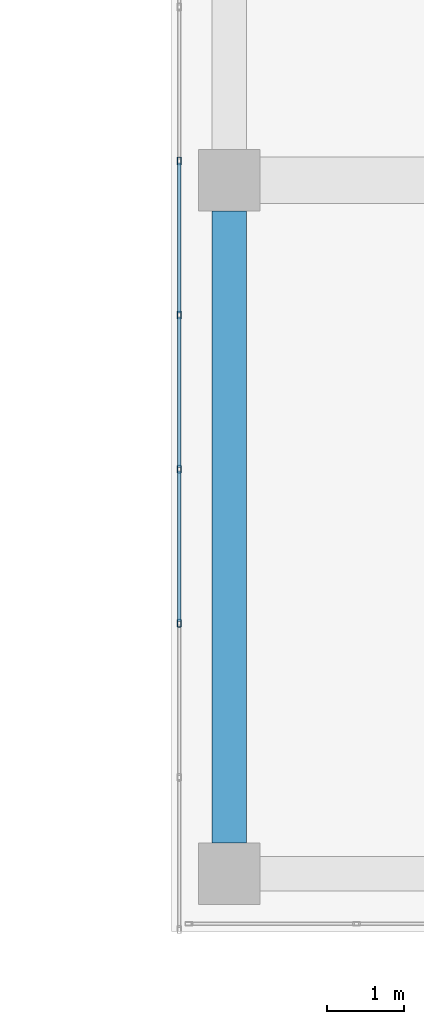
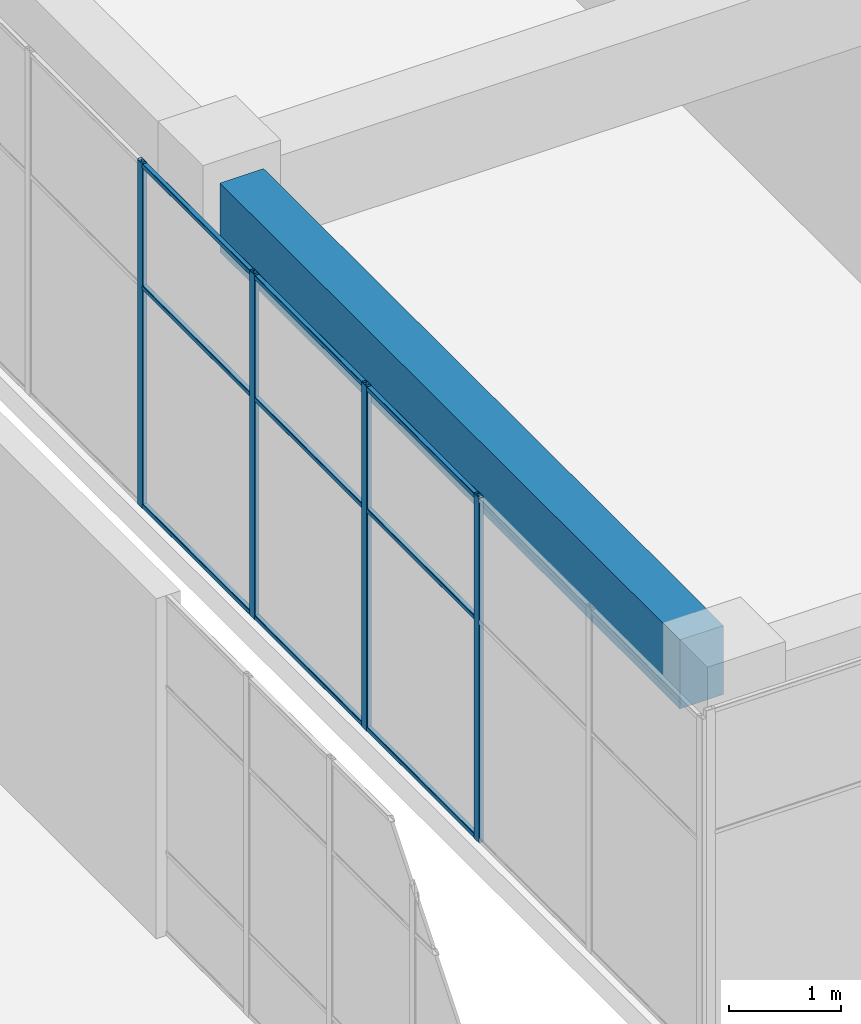
# One storey, part 16 of 65: 13 members, 1 beam, 1 element without a shape of its own.
"""IFC4 building model written with IfcOpenShell, lengths in metres."""

from ifc_helpers import new_model, si_unit, direction, frame, origin, origin_2d, place, context, subcontext, project, spatial, rectangle, hollow_rectangle, extrude, material, layer, layer_set, material_profile, profile_set, type_object, element, aggregate, save


model = new_model("IFC4")

# Units and contexts
model_context = context("Model", 3, precision=1e-05, world=origin(), true_north=direction((0.0, 1.0)))
body_context = subcontext(model_context, "Body", "Model", "MODEL_VIEW")
ifc_project = project(units=[si_unit("LENGTHUNIT", "METRE"), si_unit("AREAUNIT", "SQUARE_METRE"), si_unit("VOLUMEUNIT", "CUBIC_METRE"), si_unit("PLANEANGLEUNIT", "RADIAN"), si_unit("MASSUNIT", "GRAM", prefix="KILO")], contexts=[model_context])

# Site, building, storey
site_placement = place(None, origin())
site = spatial("IfcSite", under=ifc_project, at=site_placement, CompositionType="ELEMENT")
building_placement = place(site_placement, origin())
building = spatial("IfcBuilding", under=site, at=building_placement, Name="Tuart Plaza Theatre", CompositionType="ELEMENT")
storey_placement = place(building_placement, frame((0.0, 0.0, 9.5)))
storey = spatial("IfcBuildingStorey", under=building, at=storey_placement, Name="L02", CompositionType="ELEMENT", Elevation=9.5)

# Beam
ifc_material_1 = material(Name="Concrete N40 (40 MPa)", Category="concrete")
ifc_material_profile_1 = material_profile(ifc_material_1, rectangle(XDim=0.449951171875, YDim=0.75, at=origin_2d()), Name="BEAM 450x750 Concrete N40 (40 MPa)")
ifc_profile_set_1 = profile_set([ifc_material_profile_1], Name="Concrete N40 (40 MPa)")
beam_type = type_object("IfcBeamType", Name="BEAM 450x750 Concrete N40 (40 MPa)", PredefinedType="BEAM", material=ifc_profile_set_1)
beam_placement = place(storey_placement, frame((114.0, 56.39990234375, 3.375), z_axis=(0.0, 1.0, 0.0), x_axis=(-1.0, 0.0, 0.0)))
element("IfcBeam", 1, at=beam_placement, inside=storey, type_object=beam_type, Name="RB162", PredefinedType="BEAM", context=body_context, shape_type="SweptSolid", body=[
    extrude(rectangle(XDim=0.449951171875, YDim=0.75, at=origin_2d()), origin(), (0.0, 0.0, 1.0), 8.2001953125),
])

# Curtain wall, members
ifc_material_2 = material(Name="Aluminium and glass", Category="aluminium")
ifc_layer = layer(ifc_material_2, 0.10009765625)
ifc_layer_set = layer_set([ifc_layer], Name="CURTAIN WALL 2000 module")
curtain_wall_type = type_object("IfcCurtainWallType", Name="CURTAIN WALL 2000 module", PredefinedType="NOTDEFINED", material=ifc_layer_set)
curtain_wall_placement = place(storey_placement, origin())
curtain_wall = element("IfcCurtainWall", 2, at=curtain_wall_placement, inside=storey, type_object=curtain_wall_type, Name="CW73", PredefinedType="NOTDEFINED")
ifc_material_3 = material(Name="Aluminium 6063-T5", Category="aluminium")
ifc_material_profile_2 = material_profile(ifc_material_3, hollow_rectangle(XDim=0.050048828125, YDim=0.10009765625, WallThickness=0.00390625, InnerFilletRadius=0.00390625, OuterFilletRadius=0.008056640625, at=origin_2d()), Name="RHS 100x50x4")
ifc_profile_set_2 = profile_set([ifc_material_profile_2], Name="Aluminium 6063-T5")
member_type_1 = type_object("IfcMemberType", Name="MULLION RHS 100x50x4", PredefinedType="MULLION", material=ifc_profile_set_2)
member_1_placement = place(storey_placement, frame((113.35009765625, 65.25, 0.0), z_axis=(0.0, 0.0, 1.0), x_axis=(1.0, 0.0, 0.0)))
member_1 = element("IfcMember", 3, at=member_1_placement, type_object=member_type_1, Name="CW73 mullion 17", PredefinedType="MULLION", context=body_context, shape_type="SweptSolid", body=[
    extrude(hollow_rectangle(XDim=0.050048828125, YDim=0.10009765625, WallThickness=0.00390625, InnerFilletRadius=0.00390625, OuterFilletRadius=0.008056640625, at=origin_2d()), origin(), (0.0, 0.0, 1.0), 3.75),
])
member_2_placement = place(storey_placement, frame((113.35009765625, 63.25, 0.0), z_axis=(0.0, 0.0, 1.0), x_axis=(1.0, 0.0, 0.0)))
member_2 = element("IfcMember", 4, at=member_2_placement, type_object=member_type_1, Name="CW73 mullion 18", PredefinedType="MULLION", context=body_context, shape_type="SweptSolid", body=[
    extrude(hollow_rectangle(XDim=0.050048828125, YDim=0.10009765625, WallThickness=0.00390625, InnerFilletRadius=0.00390625, OuterFilletRadius=0.008056640625, at=origin_2d()), origin(), (0.0, 0.0, 1.0), 3.75),
])
member_3_placement = place(storey_placement, frame((113.35009765625, 61.25, 0.0), z_axis=(0.0, 0.0, 1.0), x_axis=(1.0, 0.0, 0.0)))
member_3 = element("IfcMember", 5, at=member_3_placement, type_object=member_type_1, Name="CW73 mullion 19", PredefinedType="MULLION", context=body_context, shape_type="SweptSolid", body=[
    extrude(hollow_rectangle(XDim=0.050048828125, YDim=0.10009765625, WallThickness=0.00390625, InnerFilletRadius=0.00390625, OuterFilletRadius=0.008056640625, at=origin_2d()), origin(), (0.0, 0.0, 1.0), 3.75),
])
member_4_placement = place(storey_placement, frame((113.35009765625, 59.25, 0.0), z_axis=(0.0, 0.0, 1.0), x_axis=(1.0, 0.0, 0.0)))
member_4 = element("IfcMember", 6, at=member_4_placement, type_object=member_type_1, Name="CW73 mullion 20", PredefinedType="MULLION", context=body_context, shape_type="SweptSolid", body=[
    extrude(hollow_rectangle(XDim=0.050048828125, YDim=0.10009765625, WallThickness=0.00390625, InnerFilletRadius=0.00390625, OuterFilletRadius=0.008056640625, at=origin_2d()), origin(), (0.0, 0.0, 1.0), 3.75),
])
ifc_material_4 = material(Name="Aluminium 6063-T5", Category="aluminium")
ifc_material_profile_3 = material_profile(ifc_material_4, hollow_rectangle(XDim=0.050048828125, YDim=0.050048828125, WallThickness=0.00390625, InnerFilletRadius=0.00390625, OuterFilletRadius=0.008056640625, at=origin_2d()), Name="RHS 50x50x4")
ifc_profile_set_3 = profile_set([ifc_material_profile_3], Name="Aluminium 6063-T5")
member_type_2 = type_object("IfcMemberType", Name="TRANSOM RHS 50x50x4", PredefinedType="USERDEFINED", material=ifc_profile_set_3)
member_5_placement = place(storey_placement, frame((113.35009765625, 65.22509765625, 0.02490234375), z_axis=(0.0, -1.0, 0.0), x_axis=(1.0, 0.0, 0.0)))
member_5 = element("IfcMember", 7, at=member_5_placement, type_object=member_type_2, Name="CW73 transom 17.1", ObjectType="TRANSOM", PredefinedType="USERDEFINED", context=body_context, shape_type="SweptSolid", body=[
    extrude(hollow_rectangle(XDim=0.050048828125, YDim=0.050048828125, WallThickness=0.00390625, InnerFilletRadius=0.00390625, OuterFilletRadius=0.008056640625, at=origin_2d()), origin(), (0.0, 0.0, 1.0), 1.9501953125),
])
member_6_placement = place(storey_placement, frame((113.35009765625, 65.22509765625, 2.39990234375), z_axis=(0.0, -1.0, 0.0), x_axis=(1.0, 0.0, 0.0)))
member_6 = element("IfcMember", 8, at=member_6_placement, type_object=member_type_2, Name="CW73 transom 17.2", ObjectType="TRANSOM", PredefinedType="USERDEFINED", context=body_context, shape_type="SweptSolid", body=[
    extrude(hollow_rectangle(XDim=0.050048828125, YDim=0.050048828125, WallThickness=0.00390625, InnerFilletRadius=0.00390625, OuterFilletRadius=0.008056640625, at=origin_2d()), origin(), (0.0, 0.0, 1.0), 1.9501953125),
])
member_7_placement = place(storey_placement, frame((113.35009765625, 65.22509765625, 3.72509765625), z_axis=(0.0, -1.0, 0.0), x_axis=(1.0, 0.0, 0.0)))
member_7 = element("IfcMember", 9, at=member_7_placement, type_object=member_type_2, Name="CW73 transom 17.3", ObjectType="TRANSOM", PredefinedType="USERDEFINED", context=body_context, shape_type="SweptSolid", body=[
    extrude(hollow_rectangle(XDim=0.050048828125, YDim=0.050048828125, WallThickness=0.00390625, InnerFilletRadius=0.00390625, OuterFilletRadius=0.008056640625, at=origin_2d()), origin(), (0.0, 0.0, 1.0), 1.9501953125),
])
member_8_placement = place(storey_placement, frame((113.35009765625, 63.22509765625, 0.02490234375), z_axis=(0.0, -1.0, 0.0), x_axis=(1.0, 0.0, 0.0)))
member_8 = element("IfcMember", 10, at=member_8_placement, type_object=member_type_2, Name="CW73 transom 18.1", ObjectType="TRANSOM", PredefinedType="USERDEFINED", context=body_context, shape_type="SweptSolid", body=[
    extrude(hollow_rectangle(XDim=0.050048828125, YDim=0.050048828125, WallThickness=0.00390625, InnerFilletRadius=0.00390625, OuterFilletRadius=0.008056640625, at=origin_2d()), origin(), (0.0, 0.0, 1.0), 1.9501953125),
])
member_9_placement = place(storey_placement, frame((113.35009765625, 63.22509765625, 2.39990234375), z_axis=(0.0, -1.0, 0.0), x_axis=(1.0, 0.0, 0.0)))
member_9 = element("IfcMember", 11, at=member_9_placement, type_object=member_type_2, Name="CW73 transom 18.2", ObjectType="TRANSOM", PredefinedType="USERDEFINED", context=body_context, shape_type="SweptSolid", body=[
    extrude(hollow_rectangle(XDim=0.050048828125, YDim=0.050048828125, WallThickness=0.00390625, InnerFilletRadius=0.00390625, OuterFilletRadius=0.008056640625, at=origin_2d()), origin(), (0.0, 0.0, 1.0), 1.9501953125),
])
member_10_placement = place(storey_placement, frame((113.35009765625, 63.22509765625, 3.72509765625), z_axis=(0.0, -1.0, 0.0), x_axis=(1.0, 0.0, 0.0)))
member_10 = element("IfcMember", 12, at=member_10_placement, type_object=member_type_2, Name="CW73 transom 18.3", ObjectType="TRANSOM", PredefinedType="USERDEFINED", context=body_context, shape_type="SweptSolid", body=[
    extrude(hollow_rectangle(XDim=0.050048828125, YDim=0.050048828125, WallThickness=0.00390625, InnerFilletRadius=0.00390625, OuterFilletRadius=0.008056640625, at=origin_2d()), origin(), (0.0, 0.0, 1.0), 1.9501953125),
])
member_11_placement = place(storey_placement, frame((113.35009765625, 61.22509765625, 0.02490234375), z_axis=(0.0, -1.0, 0.0), x_axis=(1.0, 0.0, 0.0)))
member_11 = element("IfcMember", 13, at=member_11_placement, type_object=member_type_2, Name="CW73 transom 19.1", ObjectType="TRANSOM", PredefinedType="USERDEFINED", context=body_context, shape_type="SweptSolid", body=[
    extrude(hollow_rectangle(XDim=0.050048828125, YDim=0.050048828125, WallThickness=0.00390625, InnerFilletRadius=0.00390625, OuterFilletRadius=0.008056640625, at=origin_2d()), origin(), (0.0, 0.0, 1.0), 1.9501953125),
])
member_12_placement = place(storey_placement, frame((113.35009765625, 61.22509765625, 2.39990234375), z_axis=(0.0, -1.0, 0.0), x_axis=(1.0, 0.0, 0.0)))
member_12 = element("IfcMember", 14, at=member_12_placement, type_object=member_type_2, Name="CW73 transom 19.2", ObjectType="TRANSOM", PredefinedType="USERDEFINED", context=body_context, shape_type="SweptSolid", body=[
    extrude(hollow_rectangle(XDim=0.050048828125, YDim=0.050048828125, WallThickness=0.00390625, InnerFilletRadius=0.00390625, OuterFilletRadius=0.008056640625, at=origin_2d()), origin(), (0.0, 0.0, 1.0), 1.9501953125),
])
member_13_placement = place(storey_placement, frame((113.35009765625, 61.22509765625, 3.72509765625), z_axis=(0.0, -1.0, 0.0), x_axis=(1.0, 0.0, 0.0)))
member_13 = element("IfcMember", 15, at=member_13_placement, type_object=member_type_2, Name="CW73 transom 19.3", ObjectType="TRANSOM", PredefinedType="USERDEFINED", context=body_context, shape_type="SweptSolid", body=[
    extrude(hollow_rectangle(XDim=0.050048828125, YDim=0.050048828125, WallThickness=0.00390625, InnerFilletRadius=0.00390625, OuterFilletRadius=0.008056640625, at=origin_2d()), origin(), (0.0, 0.0, 1.0), 1.9501953125),
])
aggregate(curtain_wall, [member_1, member_2, member_3, member_4, member_5, member_6, member_7, member_8, member_9, member_10, member_11, member_12, member_13])

save(model, "model.ifc")
